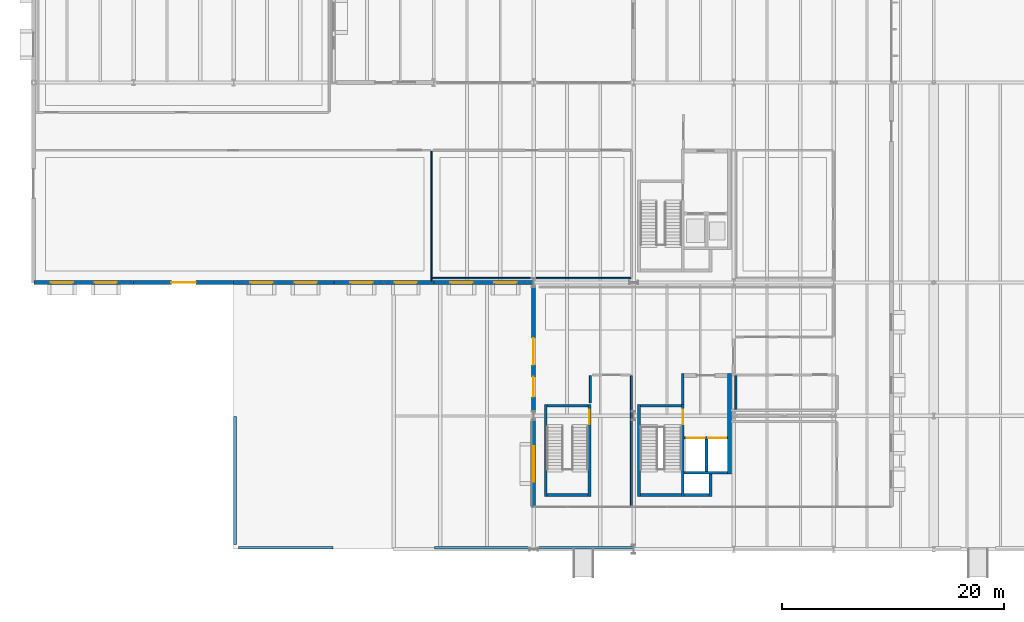
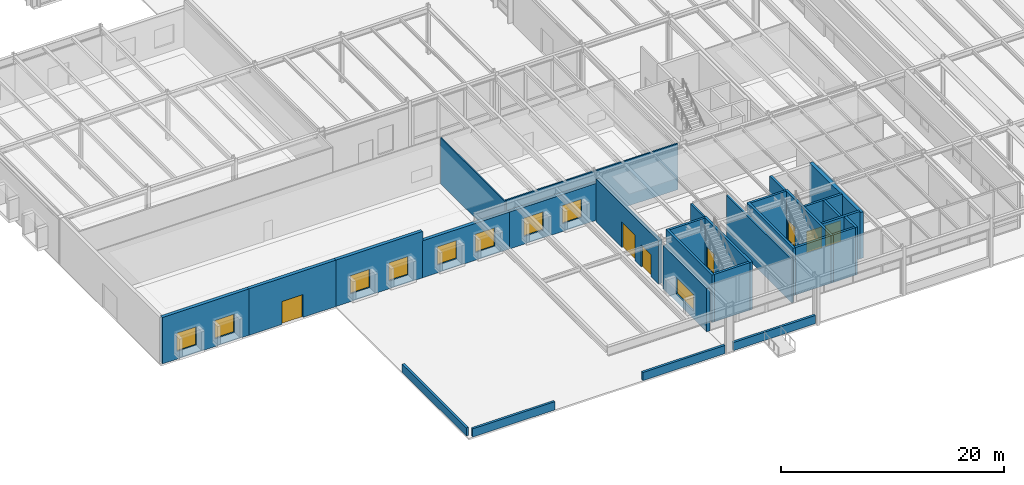
# One storey, part 118 of 143: 31 walls, 9 windows, 7 doors, 16 openings.
"""IFC4 building model written with IfcOpenShell, lengths in metres."""

from ifc_helpers import new_model, si_unit, direction, frame, frame_2d, origin, place, context, subcontext, project, spatial, rectangle, extrude, material, layer, layer_set, type_object, element, fill, save


model = new_model("IFC4")

# Units and contexts
model_context = context("Model", 3, precision=1e-05, world=origin(), true_north=direction((0.0, 1.0)))
body_context = subcontext(model_context, "Body", "Model", "MODEL_VIEW")
ifc_project = project(units=[si_unit("LENGTHUNIT", "METRE"), si_unit("AREAUNIT", "SQUARE_METRE"), si_unit("VOLUMEUNIT", "CUBIC_METRE"), si_unit("PLANEANGLEUNIT", "RADIAN"), si_unit("MASSUNIT", "GRAM", prefix="KILO")], contexts=[model_context])

# Site, building, storey
site_placement = place(None, origin())
site = spatial("IfcSite", under=ifc_project, at=site_placement, CompositionType="ELEMENT")
building_placement = place(site_placement, origin())
building = spatial("IfcBuilding", under=site, at=building_placement, Name="Montelvaro Courts of Justice", CompositionType="ELEMENT")
storey_placement = place(building_placement, origin())
storey = spatial("IfcBuildingStorey", under=building, at=storey_placement, Name="L00", CompositionType="ELEMENT", Elevation=0.0)

# Walls
ifc_material_1 = material(Name="Gypsum board on metal stud")
ifc_layer_1 = layer(ifc_material_1, 0.14990234375)
ifc_layer_set_1 = layer_set([ifc_layer_1], Name="Gypsum board on metal stud")
wall_type_1 = type_object("IfcWallType", Name="ChambersPartition_150", PredefinedType="PARTITIONING", material=ifc_layer_set_1)
wall_1_placement = place(storey_placement, frame((53.719970703125, 24.39990234375, 0.0), z_axis=(0.0, 0.0, 1.0), x_axis=(-1.0, 0.0, 0.0)))
element("IfcWall", 1, at=wall_1_placement, inside=storey, type_object=wall_type_1, Name="Interior Partition IW-04 (L00)", PredefinedType="PARTITIONING", context=body_context, shape_type="SweptSolid", body=[
    extrude(rectangle(XDim=17.864990234375, YDim=0.14990234375, at=frame_2d((8.9326171875, 0.0))), origin(), (0.0, 0.0, 1.0), 5.0400390625),
])
ifc_material_2 = material(Name="Concrete C40/50", Category="concrete")
ifc_layer_2 = layer(ifc_material_2, 0.360107421875)
ifc_layer_set_2 = layer_set([ifc_layer_2], Name="Concrete C40/50")
wall_type_2 = type_object("IfcWallType", Name="CoreWall_360", PredefinedType="SHEAR", material=ifc_layer_set_2)
wall_2_placement = place(storey_placement, frame((62.6201171875, 6.760009765625, 0.0), z_axis=(0.0, 0.0, 1.0), x_axis=(0.0, 1.0, 0.0)))
element("IfcWall", 2, at=wall_2_placement, inside=storey, type_object=wall_type_2, Name="Core Shear Wall CW-01 K1-E (L00)", PredefinedType="SHEAR", context=body_context, shape_type="SweptSolid", body=[
    extrude(rectangle(XDim=9.0400390625, YDim=0.360107421875, at=frame_2d((4.52001953125, 0.0))), origin(), (0.0, 0.0, 1.0), 5.06005859375),
])
ifc_material_3 = material(Name="Fire-rated gypsum and steel stud", Category="steel")
ifc_layer_3 = layer(ifc_material_3, 0.179931640625)
ifc_layer_set_3 = layer_set([ifc_layer_3], Name="Fire-rated gypsum and steel stud")
wall_type_3 = type_object("IfcWallType", Name="CorridorFireWall_180", PredefinedType="PARTITIONING", material=ifc_layer_set_3)
wall_3_placement = place(storey_placement, frame((53.800048828125, 15.6201171875, 0.0), z_axis=(0.0, 0.0, 1.0), x_axis=(0.0, -1.0, 0.0)))
element("IfcWall", 3, at=wall_3_placement, inside=storey, type_object=wall_type_3, Name="Interior Partition IW-02 (L00)", PredefinedType="PARTITIONING", context=body_context, shape_type="SweptSolid", body=[
    extrude(rectangle(XDim=11.7451171875, YDim=0.179931640625, at=frame_2d((5.87255859375, 0.0))), origin(), (0.0, 0.0, 1.0), 4.68505859375),
])
wall_4_placement = place(storey_placement, frame((50.10009765625, 15.6201171875, 0.0), z_axis=(0.0, 0.0, 1.0), x_axis=(0.0, -1.0, 0.0)))
element("IfcWall", 4, at=wall_4_placement, inside=storey, type_object=wall_type_3, Name="Interior Partition IW-02 (L00)", PredefinedType="PARTITIONING", context=body_context, shape_type="SweptSolid", body=[
    extrude(rectangle(XDim=2.440185546875, YDim=0.179931640625, at=frame_2d((1.22021484375, 0.0))), origin(), (0.0, 0.0, 1.0), 5.0400390625),
])
wall_5_placement = place(storey_placement, frame((63.199951171875, 12.580078125, 0.0), z_axis=(0.0, 0.0, 1.0), x_axis=(0.0, 1.0, 0.0)))
element("IfcWall", 5, at=wall_5_placement, inside=storey, type_object=wall_type_3, Name="Interior Partition IW-02 (L00)", PredefinedType="PARTITIONING", context=body_context, shape_type="SweptSolid", body=[
    extrude(rectangle(XDim=3.0400390625, YDim=0.179931640625, at=frame_2d((1.52001953125, 0.0))), origin(), (0.0, 0.0, 1.0), 4.635009765625),
])

# Wall, openings, windows
ifc_material_4 = material(Name="Precast concrete C45/55", Category="concrete")
ifc_layer_4 = layer(ifc_material_4, 0.35009765625)
ifc_layer_set_4 = layer_set([ifc_layer_4], Name="Precast concrete C45/55")
wall_type_4 = type_object("IfcWallType", Name="ExtWall_Limestone_350", PredefinedType="SOLIDWALL", material=ifc_layer_set_4)
wall_6_placement = place(storey_placement, frame((0.0400390625, 24.0, 0.0), z_axis=(0.0, 0.0, 1.0), x_axis=(1.0, 0.0, 0.0)))
wall_6 = element("IfcWall", 6, at=wall_6_placement, inside=storey, type_object=wall_type_4, Name="Exterior Facade Wall EW-03 (L00)", PredefinedType="SOLIDWALL", context=body_context, shape_type="SweptSolid", body=[
    extrude(rectangle(XDim=8.969970703125, YDim=0.35009765625, at=frame_2d((4.48486328125, 0.0))), origin(), (0.0, 0.0, 1.0), 5.080078125),
])
opening_1_placement = place(wall_6_placement, frame((1.511962890625, 0.0, 0.85009765625)))
opening_1 = element("IfcOpeningElement", 7, at=opening_1_placement, cuts=wall_6, Name="Opening WE-11", PredefinedType="OPENING", context=body_context, shape_type="SweptSolid", body=[
    extrude(rectangle(XDim=2.0, YDim=2.0, at=frame_2d((1.0, 1.0))), frame((0.0, 0.18994140625, 0.0), z_axis=(0.0, -1.0, 0.0), x_axis=(1.0, 0.0, 0.0)), (0.0, 0.0, 1.0), 0.3798828125),
])
opening_2_placement = place(wall_6_placement, frame((5.4580078125, 0.0, 0.85009765625)))
opening_2 = element("IfcOpeningElement", 8, at=opening_2_placement, cuts=wall_6, Name="Opening WE-11", PredefinedType="OPENING", context=body_context, shape_type="SweptSolid", body=[
    extrude(rectangle(XDim=2.0, YDim=2.0, at=frame_2d((1.0, 1.0))), frame((0.0, 0.18994140625, 0.0), z_axis=(0.0, -1.0, 0.0), x_axis=(1.0, 0.0, 0.0)), (0.0, 0.0, 1.0), 0.3798828125),
])
ifc_material_5 = material(Name="Low-E solar control double glazing", Category="glass")
window_type_1 = type_object("IfcWindowType", Name="Win_Sq_200x200", PartitioningType="SINGLE_PANEL", PredefinedType="WINDOW", material=ifc_material_5)
window_1_placement = place(opening_1_placement, origin())
window_1 = element("IfcWindow", 9, at=window_1_placement, inside=storey, type_object=window_type_1, Name="Window W-L00-003", OverallHeight=2.0, OverallWidth=2.0, PartitioningType="SINGLE_PANEL", PredefinedType="WINDOW", context=body_context, shape_type="SweptSolid", body=[
    extrude(rectangle(XDim=2.0, YDim=2.0, at=frame_2d((1.0, 1.0))), frame((0.0, 0.030029296875, 0.0), z_axis=(0.0, -1.0, 0.0), x_axis=(1.0, 0.0, 0.0)), (0.0, 0.0, 1.0), 0.06005859375),
])
fill(opening_1, window_1)
window_2_placement = place(opening_2_placement, origin())
window_2 = element("IfcWindow", 10, at=window_2_placement, inside=storey, type_object=window_type_1, Name="Window W-L00-004", OverallHeight=2.0, OverallWidth=2.0, PartitioningType="SINGLE_PANEL", PredefinedType="WINDOW", context=body_context, shape_type="SweptSolid", body=[
    extrude(rectangle(XDim=2.0, YDim=2.0, at=frame_2d((1.0, 1.0))), frame((0.0, 0.030029296875, 0.0), z_axis=(0.0, -1.0, 0.0), x_axis=(1.0, 0.0, 0.0)), (0.0, 0.0, 1.0), 0.06005859375),
])
fill(opening_2, window_2)

# Wall, opening, door
wall_7_placement = place(storey_placement, frame((8.989990234375, 24.0, 0.0), z_axis=(0.0, 0.0, 1.0), x_axis=(1.0, 0.0, 0.0)))
wall_7 = element("IfcWall", 11, at=wall_7_placement, inside=storey, type_object=wall_type_4, Name="Exterior Facade Wall EW-03 (L00)", PredefinedType="SOLIDWALL", context=body_context, shape_type="SweptSolid", body=[
    extrude(rectangle(XDim=9.02001953125, YDim=0.35009765625, at=frame_2d((4.510009765625, 0.0))), origin(), (0.0, 0.0, 1.0), 5.080078125),
])
opening_3_placement = place(wall_7_placement, frame((3.409912109375, 0.0, 0.0)))
opening_3 = element("IfcOpeningElement", 12, at=opening_3_placement, cuts=wall_7, Name="Opening SG-03B", PredefinedType="OPENING", context=body_context, shape_type="SweptSolid", body=[
    extrude(rectangle(XDim=2.199951171875, YDim=2.5, at=frame_2d((1.10009765625, 1.25))), frame((0.0, 0.18994140625, 0.0), z_axis=(0.0, -1.0, 0.0), x_axis=(1.0, 0.0, 0.0)), (0.0, 0.0, 1.0), 0.3798828125),
])
ifc_material_6 = material(Name="Anodised aluminium and laminated safety glass", Category="aluminium")
door_type_1 = type_object("IfcDoorType", Name="SecGate_220x250", OperationType="DOUBLE_DOOR_SINGLE_SWING", PredefinedType="GATE", material=ifc_material_6)
door_1_placement = place(opening_3_placement, frame((2.199951171875, 0.0, 0.0), z_axis=(0.0, 0.0, 1.0), x_axis=(-1.0, 0.0, 0.0)))
door_1 = element("IfcDoor", 13, at=door_1_placement, inside=storey, type_object=door_type_1, Name="Perimeter Security Gate SG-03B", OperationType="DOUBLE_DOOR_SINGLE_SWING", OverallHeight=2.5, OverallWidth=2.199951171875, PredefinedType="GATE", context=body_context, shape_type="SweptSolid", body=[
    extrude(rectangle(XDim=2.199951171875, YDim=2.5, at=frame_2d((1.10009765625, 1.25))), frame((0.0, 0.02490234375, 0.0), z_axis=(0.0, -1.0, 0.0), x_axis=(1.0, 0.0, 0.0)), (0.0, 0.0, 1.0), 0.050048828125),
])
fill(opening_3, door_1)

# Wall, openings, windows
wall_8_placement = place(storey_placement, frame((17.989990234375, 24.0, 0.0), z_axis=(0.0, 0.0, 1.0), x_axis=(1.0, 0.0, 0.0)))
wall_8 = element("IfcWall", 14, at=wall_8_placement, inside=storey, type_object=wall_type_4, Name="Exterior Facade Wall EW-03 (L00)", PredefinedType="SOLIDWALL", context=body_context, shape_type="SweptSolid", body=[
    extrude(rectangle(XDim=9.02001953125, YDim=0.35009765625, at=frame_2d((4.510009765625, 0.0))), origin(), (0.0, 0.0, 1.0), 5.080078125),
])
opening_4_placement = place(wall_8_placement, frame((1.52587890625, 0.0, 0.85009765625)))
opening_4 = element("IfcOpeningElement", 15, at=opening_4_placement, cuts=wall_8, Name="Opening WE-11", PredefinedType="OPENING", context=body_context, shape_type="SweptSolid", body=[
    extrude(rectangle(XDim=2.0, YDim=2.0, at=frame_2d((1.0, 1.0))), frame((0.0, 0.18994140625, 0.0), z_axis=(0.0, -1.0, 0.0), x_axis=(1.0, 0.0, 0.0)), (0.0, 0.0, 1.0), 0.3798828125),
])
opening_5_placement = place(wall_8_placement, frame((5.493896484375, 0.0, 0.85009765625)))
opening_5 = element("IfcOpeningElement", 16, at=opening_5_placement, cuts=wall_8, Name="Opening WE-11", PredefinedType="OPENING", context=body_context, shape_type="SweptSolid", body=[
    extrude(rectangle(XDim=2.0, YDim=2.0, at=frame_2d((1.0, 1.0))), frame((0.0, 0.18994140625, 0.0), z_axis=(0.0, -1.0, 0.0), x_axis=(1.0, 0.0, 0.0)), (0.0, 0.0, 1.0), 0.3798828125),
])
window_3_placement = place(opening_4_placement, origin())
window_3 = element("IfcWindow", 17, at=window_3_placement, inside=storey, type_object=window_type_1, Name="Window W-L00-005", OverallHeight=2.0, OverallWidth=2.0, PartitioningType="SINGLE_PANEL", PredefinedType="WINDOW", context=body_context, shape_type="SweptSolid", body=[
    extrude(rectangle(XDim=2.0, YDim=2.0, at=frame_2d((1.0, 1.0))), frame((0.0, 0.030029296875, 0.0), z_axis=(0.0, -1.0, 0.0), x_axis=(1.0, 0.0, 0.0)), (0.0, 0.0, 1.0), 0.06005859375),
])
fill(opening_4, window_3)
window_4_placement = place(opening_5_placement, origin())
window_4 = element("IfcWindow", 18, at=window_4_placement, inside=storey, type_object=window_type_1, Name="Window W-L00-006", OverallHeight=2.0, OverallWidth=2.0, PartitioningType="SINGLE_PANEL", PredefinedType="WINDOW", context=body_context, shape_type="SweptSolid", body=[
    extrude(rectangle(XDim=2.0, YDim=2.0, at=frame_2d((1.0, 1.0))), frame((0.0, 0.030029296875, 0.0), z_axis=(0.0, -1.0, 0.0), x_axis=(1.0, 0.0, 0.0)), (0.0, 0.0, 1.0), 0.06005859375),
])
fill(opening_5, window_4)

wall_9_placement = place(storey_placement, frame((26.989990234375, 24.0, 0.0), z_axis=(0.0, 0.0, 1.0), x_axis=(1.0, 0.0, 0.0)))
wall_9 = element("IfcWall", 19, at=wall_9_placement, inside=storey, type_object=wall_type_4, Name="Exterior Facade Wall EW-03 (L00)", PredefinedType="SOLIDWALL", context=body_context, shape_type="SweptSolid", body=[
    extrude(rectangle(XDim=9.02001953125, YDim=0.35009765625, at=frame_2d((4.510009765625, 0.0))), origin(), (0.0, 0.0, 1.0), 4.047119140625),
])
opening_6_placement = place(wall_9_placement, frame((1.52587890625, 0.0, 0.85009765625)))
opening_6 = element("IfcOpeningElement", 20, at=opening_6_placement, cuts=wall_9, Name="Opening WE-11", PredefinedType="OPENING", context=body_context, shape_type="SweptSolid", body=[
    extrude(rectangle(XDim=2.0, YDim=2.0, at=frame_2d((1.0, 1.0))), frame((0.0, 0.18994140625, 0.0), z_axis=(0.0, -1.0, 0.0), x_axis=(1.0, 0.0, 0.0)), (0.0, 0.0, 1.0), 0.3798828125),
])
opening_7_placement = place(wall_9_placement, frame((5.493896484375, 0.0, 0.85009765625)))
opening_7 = element("IfcOpeningElement", 21, at=opening_7_placement, cuts=wall_9, Name="Opening WE-11", PredefinedType="OPENING", context=body_context, shape_type="SweptSolid", body=[
    extrude(rectangle(XDim=2.0, YDim=2.0, at=frame_2d((1.0, 1.0))), frame((0.0, 0.18994140625, 0.0), z_axis=(0.0, -1.0, 0.0), x_axis=(1.0, 0.0, 0.0)), (0.0, 0.0, 1.0), 0.3798828125),
])
window_5_placement = place(opening_6_placement, origin())
window_5 = element("IfcWindow", 22, at=window_5_placement, inside=storey, type_object=window_type_1, Name="Window W-L00-007", OverallHeight=2.0, OverallWidth=2.0, PartitioningType="SINGLE_PANEL", PredefinedType="WINDOW", context=body_context, shape_type="SweptSolid", body=[
    extrude(rectangle(XDim=2.0, YDim=2.0, at=frame_2d((1.0, 1.0))), frame((0.0, 0.030029296875, 0.0), z_axis=(0.0, -1.0, 0.0), x_axis=(1.0, 0.0, 0.0)), (0.0, 0.0, 1.0), 0.06005859375),
])
fill(opening_6, window_5)
window_6_placement = place(opening_7_placement, origin())
window_6 = element("IfcWindow", 23, at=window_6_placement, inside=storey, type_object=window_type_1, Name="Window W-L00-008", OverallHeight=2.0, OverallWidth=2.0, PartitioningType="SINGLE_PANEL", PredefinedType="WINDOW", context=body_context, shape_type="SweptSolid", body=[
    extrude(rectangle(XDim=2.0, YDim=2.0, at=frame_2d((1.0, 1.0))), frame((0.0, 0.030029296875, 0.0), z_axis=(0.0, -1.0, 0.0), x_axis=(1.0, 0.0, 0.0)), (0.0, 0.0, 1.0), 0.06005859375),
])
fill(opening_7, window_6)

wall_10_placement = place(storey_placement, frame((35.989990234375, 24.0, 0.0), z_axis=(0.0, 0.0, 1.0), x_axis=(1.0, 0.0, 0.0)))
wall_10 = element("IfcWall", 24, at=wall_10_placement, inside=storey, type_object=wall_type_4, Name="Exterior Facade Wall EW-03 (L00)", PredefinedType="SOLIDWALL", context=body_context, shape_type="SweptSolid", body=[
    extrude(rectangle(XDim=9.001953125, YDim=0.35009765625, at=frame_2d((4.5009765625, 0.0))), origin(), (0.0, 0.0, 1.0), 4.047119140625),
])
opening_8_placement = place(wall_10_placement, frame((1.52099609375, 0.0, 0.85009765625)))
opening_8 = element("IfcOpeningElement", 25, at=opening_8_placement, cuts=wall_10, Name="Opening WE-11", PredefinedType="OPENING", context=body_context, shape_type="SweptSolid", body=[
    extrude(rectangle(XDim=2.0, YDim=2.0, at=frame_2d((1.0, 1.0))), frame((0.0, 0.18994140625, 0.0), z_axis=(0.0, -1.0, 0.0), x_axis=(1.0, 0.0, 0.0)), (0.0, 0.0, 1.0), 0.3798828125),
])
opening_9_placement = place(wall_10_placement, frame((5.48095703125, 0.0, 0.85009765625)))
opening_9 = element("IfcOpeningElement", 26, at=opening_9_placement, cuts=wall_10, Name="Opening WE-11", PredefinedType="OPENING", context=body_context, shape_type="SweptSolid", body=[
    extrude(rectangle(XDim=2.0, YDim=2.0, at=frame_2d((1.0, 1.0))), frame((0.0, 0.18994140625, 0.0), z_axis=(0.0, -1.0, 0.0), x_axis=(1.0, 0.0, 0.0)), (0.0, 0.0, 1.0), 0.3798828125),
])
window_7_placement = place(opening_8_placement, origin())
window_7 = element("IfcWindow", 27, at=window_7_placement, inside=storey, type_object=window_type_1, Name="Window W-L00-009", OverallHeight=2.0, OverallWidth=2.0, PartitioningType="SINGLE_PANEL", PredefinedType="WINDOW", context=body_context, shape_type="SweptSolid", body=[
    extrude(rectangle(XDim=2.0, YDim=2.0, at=frame_2d((1.0, 1.0))), frame((0.0, 0.030029296875, 0.0), z_axis=(0.0, -1.0, 0.0), x_axis=(1.0, 0.0, 0.0)), (0.0, 0.0, 1.0), 0.06005859375),
])
fill(opening_8, window_7)
window_8_placement = place(opening_9_placement, origin())
window_8 = element("IfcWindow", 28, at=window_8_placement, inside=storey, type_object=window_type_1, Name="Window W-L00-010", OverallHeight=2.0, OverallWidth=2.0, PartitioningType="SINGLE_PANEL", PredefinedType="WINDOW", context=body_context, shape_type="SweptSolid", body=[
    extrude(rectangle(XDim=2.0, YDim=2.0, at=frame_2d((1.0, 1.0))), frame((0.0, 0.030029296875, 0.0), z_axis=(0.0, -1.0, 0.0), x_axis=(1.0, 0.0, 0.0)), (0.0, 0.0, 1.0), 0.06005859375),
])
fill(opening_9, window_8)

# Wall, openings, doors
wall_11_placement = place(storey_placement, frame((45.0, 23.594970703125, 0.0), z_axis=(0.0, 0.0, 1.0), x_axis=(0.0, -1.0, 0.0)))
wall_11 = element("IfcWall", 29, at=wall_11_placement, inside=storey, type_object=wall_type_4, Name="Exterior Facade Wall EW-03 (L00)", PredefinedType="SOLIDWALL", context=body_context, shape_type="SweptSolid", body=[
    extrude(rectangle(XDim=11.18994140625, YDim=0.35009765625, at=frame_2d((5.594970703125, 0.0))), origin(), (0.0, 0.0, 1.0), 4.72509765625),
])
opening_10_placement = place(wall_11_placement, frame((4.594970703125, 0.0, 0.0)))
opening_10 = element("IfcOpeningElement", 30, at=opening_10_placement, cuts=wall_11, Name="Opening ED-01", PredefinedType="OPENING", context=body_context, shape_type="SweptSolid", body=[
    extrude(rectangle(XDim=2.39990234375, YDim=2.800048828125, at=frame_2d((1.199951171875, 1.39990234375))), frame((0.0, 0.18994140625, 0.0), z_axis=(0.0, -1.0, 0.0), x_axis=(1.0, 0.0, 0.0)), (0.0, 0.0, 1.0), 0.3798828125),
])
opening_11_placement = place(wall_11_placement, frame((8.090087890625, 0.0, 0.0)))
opening_11 = element("IfcOpeningElement", 31, at=opening_11_placement, cuts=wall_11, Name="Opening ED-06", PredefinedType="OPENING", context=body_context, shape_type="SweptSolid", body=[
    extrude(rectangle(XDim=1.800048828125, YDim=2.39990234375, at=frame_2d((0.89990234375, 1.199951171875))), frame((0.0, 0.18994140625, 0.0), z_axis=(0.0, -1.0, 0.0), x_axis=(1.0, 0.0, 0.0)), (0.0, 0.0, 1.0), 0.3798828125),
])
ifc_material_7 = material(Name="Galvanised steel S355 fire door", Category="steel")
door_type_2 = type_object("IfcDoorType", Name="ExtDoor_Exit_180x240", OperationType="DOUBLE_DOOR_SINGLE_SWING", PredefinedType="DOOR", material=ifc_material_7)
door_2_placement = place(opening_11_placement, frame((1.800048828125, 0.0, 0.0), z_axis=(0.0, 0.0, 1.0), x_axis=(-1.0, 0.0, 0.0)))
door_2 = element("IfcDoor", 32, at=door_2_placement, inside=storey, type_object=door_type_2, Name="Final Pedestrian Exit ED-06 Stair ST-E1", OperationType="DOUBLE_DOOR_SINGLE_SWING", OverallHeight=2.39990234375, OverallWidth=1.800048828125, PredefinedType="DOOR", context=body_context, shape_type="SweptSolid", body=[
    extrude(rectangle(XDim=1.800048828125, YDim=2.39990234375, at=frame_2d((0.89990234375, 1.199951171875))), frame((0.0, 0.02490234375, 0.0), z_axis=(0.0, -1.0, 0.0), x_axis=(1.0, 0.0, 0.0)), (0.0, 0.0, 1.0), 0.050048828125),
])
fill(opening_11, door_2)
door_type_3 = type_object("IfcDoorType", Name="ExtDoor_Main_240x280", OperationType="DOUBLE_DOOR_SINGLE_SWING", PredefinedType="DOOR", material=ifc_material_6)
door_3_placement = place(opening_10_placement, frame((2.39990234375, 0.0, 0.0), z_axis=(0.0, 0.0, 1.0), x_axis=(-1.0, 0.0, 0.0)))
door_3 = element("IfcDoor", 33, at=door_3_placement, inside=storey, type_object=door_type_3, Name="Final Pedestrian Exit ED-01 Stair ST-K1", OperationType="DOUBLE_DOOR_SINGLE_SWING", OverallHeight=2.800048828125, OverallWidth=2.39990234375, PredefinedType="DOOR", context=body_context, shape_type="SweptSolid", body=[
    extrude(rectangle(XDim=2.39990234375, YDim=2.800048828125, at=frame_2d((1.199951171875, 1.39990234375))), frame((0.0, 0.02490234375, 0.0), z_axis=(0.0, -1.0, 0.0), x_axis=(1.0, 0.0, 0.0)), (0.0, 0.0, 1.0), 0.050048828125),
])
fill(opening_10, door_3)

# Wall, opening, window
wall_12_placement = place(storey_placement, frame((45.0, 11.594970703125, 0.0), z_axis=(0.0, 0.0, 1.0), x_axis=(0.0, -1.0, 0.0)))
wall_12 = element("IfcWall", 34, at=wall_12_placement, inside=storey, type_object=wall_type_4, Name="Exterior Facade Wall EW-03 (L00)", PredefinedType="SOLIDWALL", context=body_context, shape_type="SweptSolid", body=[
    extrude(rectangle(XDim=7.8349609375, YDim=0.35009765625, at=frame_2d((3.91748046875, 0.0))), origin(), (0.0, 0.0, 1.0), 4.72509765625),
])
opening_12_placement = place(wall_12_placement, frame((2.31689453125, 0.0, 0.85009765625)))
opening_12 = element("IfcOpeningElement", 35, at=opening_12_placement, cuts=wall_12, Name="Opening WE-20", PredefinedType="OPENING", context=body_context, shape_type="SweptSolid", body=[
    extrude(rectangle(XDim=3.199951171875, YDim=1.800048828125, at=frame_2d((1.60009765625, 0.89990234375))), frame((0.0, 0.18994140625, 0.0), z_axis=(0.0, -1.0, 0.0), x_axis=(1.0, 0.0, 0.0)), (0.0, 0.0, 1.0), 0.3798828125),
])
window_type_2 = type_object("IfcWindowType", Name="Win_Rect_320x180", PartitioningType="SINGLE_PANEL", PredefinedType="WINDOW", material=ifc_material_5)
window_9_placement = place(opening_12_placement, origin())
window_9 = element("IfcWindow", 36, at=window_9_placement, inside=storey, type_object=window_type_2, Name="Window W-L00-024", OverallHeight=1.800048828125, OverallWidth=3.199951171875, PartitioningType="SINGLE_PANEL", PredefinedType="WINDOW", context=body_context, shape_type="SweptSolid", body=[
    extrude(rectangle(XDim=3.199951171875, YDim=1.800048828125, at=frame_2d((1.60009765625, 0.89990234375))), frame((0.0, 0.030029296875, 0.0), z_axis=(0.0, -1.0, 0.0), x_axis=(1.0, 0.0, 0.0)), (0.0, 0.0, 1.0), 0.06005859375),
])
fill(opening_12, window_9)

# Walls
ifc_layer_5 = layer(ifc_material_1, 0.1201171875)
ifc_layer_set_5 = layer_set([ifc_layer_5], Name="Gypsum board on metal stud")
wall_type_5 = type_object("IfcWallType", Name="OfficePartition_120", PredefinedType="PARTITIONING", material=ifc_layer_set_5)
wall_13_placement = place(storey_placement, frame((35.800048828125, 35.820068359375, 0.0), z_axis=(0.0, 0.0, 1.0), x_axis=(0.0, -1.0, 0.0)))
element("IfcWall", 37, at=wall_13_placement, inside=storey, type_object=wall_type_5, Name="Interior Partition IW-05 (L00)", PredefinedType="PARTITIONING", context=body_context, shape_type="SweptSolid", body=[
    extrude(rectangle(XDim=11.650146484375, YDim=0.1201171875, at=frame_2d((5.8251953125, 0.0))), origin(), (0.0, 0.0, 1.0), 5.0400390625),
])
ifc_material_8 = material(Name="White mineral precast concrete C45/55", Category="concrete")
ifc_layer_6 = layer(ifc_material_8, 0.239990234375)
ifc_layer_set_6 = layer_set([ifc_layer_6], Name="White mineral precast concrete C45/55")
wall_type_6 = type_object("IfcWallType", Name="ParapetWall_240", PredefinedType="PARAPET", material=ifc_layer_set_6)
for number, where, z_axis, x_axis, name in (
    (38, (18.419921875, 0.1201171875, 0.0), (0.0, 0.0, 1.0), (1.0, 0.0, 0.0), "Roof Parapet PW-01 L00-048"),
    (39, (36.06005859375, 0.1201171875, 0.0), (0.0, 0.0, 1.0), (1.0, 0.0, 0.0), "Roof Parapet PW-01 L00-049"),
):
    element("IfcWall", number, at=place(storey_placement, frame(where, z_axis=z_axis, x_axis=x_axis)), inside=storey, type_object=wall_type_6, Name=name, PredefinedType="PARAPET", context=body_context, shape_type="SweptSolid", body=[
        extrude(rectangle(XDim=8.52001953125, YDim=0.239990234375, at=frame_2d((4.260009765625, 0.0))), origin(), (0.0, 0.0, 1.0), 0.89990234375),
    ])
wall_14_placement = place(storey_placement, frame((18.1201171875, 0.419921875, 0.0), z_axis=(0.0, 0.0, 1.0), x_axis=(0.0, 1.0, 0.0)))
element("IfcWall", 40, at=wall_14_placement, inside=storey, type_object=wall_type_6, Name="Roof Parapet PW-01 L00-050", PredefinedType="PARAPET", context=body_context, shape_type="SweptSolid", body=[
    extrude(rectangle(XDim=11.52001953125, YDim=0.239990234375, at=frame_2d((5.760009765625, 0.0))), origin(), (0.0, 0.0, 1.0), 0.89990234375),
])
wall_15_placement = place(storey_placement, frame((45.419921875, 0.1201171875, 0.0), z_axis=(0.0, 0.0, 1.0), x_axis=(1.0, 0.0, 0.0)))
element("IfcWall", 41, at=wall_15_placement, inside=storey, type_object=wall_type_6, Name="Roof Parapet PW-01 L00-064", PredefinedType="PARAPET", context=body_context, shape_type="SweptSolid", body=[
    extrude(rectangle(XDim=8.52001953125, YDim=0.239990234375, at=frame_2d((4.260009765625, 0.0))), origin(), (0.0, 0.0, 1.0), 0.89990234375),
])
ifc_material_9 = material(Name="Concrete C35/45", Category="concrete")
ifc_layer_7 = layer(ifc_material_9, 0.239990234375)
ifc_layer_set_7 = layer_set([ifc_layer_7], Name="Concrete C35/45")
wall_type_7 = type_object("IfcWallType", Name="ShaftWall_240", PredefinedType="SHEAR", material=ifc_layer_set_7)
wall_16_placement = place(storey_placement, frame((54.47998046875, 4.760009765625, 0.0), z_axis=(0.0, 0.0, 1.0), x_axis=(0.0, 1.0, 0.0)))
element("IfcWall", 42, at=wall_16_placement, inside=storey, type_object=wall_type_7, Name="Protected Stair Structural Wall ST-K1-W (L00)", PredefinedType="SHEAR", context=body_context, shape_type="SweptSolid", body=[
    extrude(rectangle(XDim=8.280029296875, YDim=0.239990234375, at=frame_2d((4.14013671875, 0.0))), origin(), (0.0, 0.0, 1.0), 5.2099609375),
])

# Wall, opening, door
wall_17_placement = place(storey_placement, frame((58.419921875, 4.760009765625, 0.0), z_axis=(0.0, 0.0, 1.0), x_axis=(0.0, 1.0, 0.0)))
wall_17 = element("IfcWall", 43, at=wall_17_placement, inside=storey, type_object=wall_type_7, Name="Protected Stair Structural Wall ST-K1-E (L00)", PredefinedType="SHEAR", context=body_context, shape_type="SweptSolid", body=[
    extrude(rectangle(XDim=8.280029296875, YDim=0.239990234375, at=frame_2d((4.14013671875, 0.0))), origin(), (0.0, 0.0, 1.0), 5.2099609375),
])
opening_13_placement = place(wall_17_placement, frame((6.489990234375, 0.0, 0.0)))
opening_13 = element("IfcOpeningElement", 44, at=opening_13_placement, cuts=wall_17, Name="Opening DS-L00-K1", PredefinedType="OPENING", context=body_context, shape_type="SweptSolid", body=[
    extrude(rectangle(XDim=1.300048828125, YDim=2.199951171875, at=frame_2d((0.64990234375, 1.10009765625))), frame((0.0, 0.134765625, 0.0), z_axis=(0.0, -1.0, 0.0), x_axis=(1.0, 0.0, 0.0)), (0.0, 0.0, 1.0), 0.269775390625),
])
ifc_material_10 = material(Name="Galvanised steel S355 security door", Category="steel")
door_type_4 = type_object("IfcDoorType", Name="StairFireDoor_130x220", OperationType="NOTDEFINED", PredefinedType="DOOR", material=ifc_material_10)
door_4_placement = place(opening_13_placement, frame((1.300048828125, 0.0, 0.0), z_axis=(0.0, 0.0, 1.0), x_axis=(-1.0, 0.0, 0.0)))
door_4 = element("IfcDoor", 45, at=door_4_placement, inside=storey, type_object=door_type_4, Name="Protected Stair Fire Door DS-L00-K1", OperationType="SINGLE_SWING_RIGHT", OverallHeight=2.199951171875, OverallWidth=1.300048828125, PredefinedType="DOOR", context=body_context, shape_type="SweptSolid", body=[
    extrude(rectangle(XDim=1.300048828125, YDim=2.199951171875, at=frame_2d((0.64990234375, 1.10009765625))), frame((0.0, 0.02490234375, 0.0), z_axis=(0.0, -1.0, 0.0), x_axis=(1.0, 0.0, 0.0)), (0.0, 0.0, 1.0), 0.050048828125),
])
fill(opening_13, door_4)

# Walls
for number, where, z_axis, x_axis, name in (
    (46, (54.60009765625, 4.8798828125, 0.0), (0.0, 0.0, 1.0), (1.0, 0.0, 0.0), "Protected Stair Structural Wall ST-K1-S (L00)"),
    (47, (54.60009765625, 12.919921875, 0.0), (0.0, 0.0, 1.0), (1.0, 0.0, 0.0), "Protected Stair Structural Wall ST-K1-N (L00)"),
):
    element("IfcWall", number, at=place(storey_placement, frame(where, z_axis=z_axis, x_axis=x_axis)), inside=storey, type_object=wall_type_7, Name=name, PredefinedType="SHEAR", context=body_context, shape_type="SweptSolid", body=[
        extrude(rectangle(XDim=3.699951171875, YDim=0.239990234375, at=frame_2d((1.85009765625, 0.0))), origin(), (0.0, 0.0, 1.0), 5.2099609375),
    ])
wall_18_placement = place(storey_placement, frame((46.080078125, 4.760009765625, 0.0), z_axis=(0.0, 0.0, 1.0), x_axis=(0.0, 1.0, 0.0)))
element("IfcWall", 48, at=wall_18_placement, inside=storey, type_object=wall_type_7, Name="Protected Stair Structural Wall ST-E1-W (L00)", PredefinedType="SHEAR", context=body_context, shape_type="SweptSolid", body=[
    extrude(rectangle(XDim=8.280029296875, YDim=0.239990234375, at=frame_2d((4.14013671875, 0.0))), origin(), (0.0, 0.0, 1.0), 5.2099609375),
])

# Wall, opening, door
wall_19_placement = place(storey_placement, frame((50.02001953125, 4.760009765625, 0.0), z_axis=(0.0, 0.0, 1.0), x_axis=(0.0, 1.0, 0.0)))
wall_19 = element("IfcWall", 49, at=wall_19_placement, inside=storey, type_object=wall_type_7, Name="Protected Stair Structural Wall ST-E1-E (L00)", PredefinedType="SHEAR", context=body_context, shape_type="SweptSolid", body=[
    extrude(rectangle(XDim=8.280029296875, YDim=0.239990234375, at=frame_2d((4.14013671875, 0.0))), origin(), (0.0, 0.0, 1.0), 5.2099609375),
])
opening_14_placement = place(wall_19_placement, frame((6.489990234375, 0.0, 0.0)))
opening_14 = element("IfcOpeningElement", 50, at=opening_14_placement, cuts=wall_19, Name="Opening DS-L00-SE1", PredefinedType="OPENING", context=body_context, shape_type="SweptSolid", body=[
    extrude(rectangle(XDim=1.300048828125, YDim=2.199951171875, at=frame_2d((0.64990234375, 1.10009765625))), frame((0.0, 0.134765625, 0.0), z_axis=(0.0, -1.0, 0.0), x_axis=(1.0, 0.0, 0.0)), (0.0, 0.0, 1.0), 0.269775390625),
])
door_5_placement = place(opening_14_placement, frame((1.300048828125, 0.0, 0.0), z_axis=(0.0, 0.0, 1.0), x_axis=(-1.0, 0.0, 0.0)))
door_5 = element("IfcDoor", 51, at=door_5_placement, inside=storey, type_object=door_type_4, Name="Protected Stair Fire Door DS-L00-SE1", OperationType="SINGLE_SWING_RIGHT", OverallHeight=2.199951171875, OverallWidth=1.300048828125, PredefinedType="DOOR", context=body_context, shape_type="SweptSolid", body=[
    extrude(rectangle(XDim=1.300048828125, YDim=2.199951171875, at=frame_2d((0.64990234375, 1.10009765625))), frame((0.0, 0.02490234375, 0.0), z_axis=(0.0, -1.0, 0.0), x_axis=(1.0, 0.0, 0.0)), (0.0, 0.0, 1.0), 0.050048828125),
])
fill(opening_14, door_5)

# Walls
for number, where, z_axis, x_axis, name in (
    (52, (46.199951171875, 4.8798828125, 0.0), (0.0, 0.0, 1.0), (1.0, 0.0, 0.0), "Protected Stair Structural Wall ST-E1-S (L00)"),
    (53, (46.199951171875, 12.919921875, 0.0), (0.0, 0.0, 1.0), (1.0, 0.0, 0.0), "Protected Stair Structural Wall ST-E1-N (L00)"),
):
    element("IfcWall", number, at=place(storey_placement, frame(where, z_axis=z_axis, x_axis=x_axis)), inside=storey, type_object=wall_type_7, Name=name, PredefinedType="SHEAR", context=body_context, shape_type="SweptSolid", body=[
        extrude(rectangle(XDim=3.699951171875, YDim=0.239990234375, at=frame_2d((1.85009765625, 0.0))), origin(), (0.0, 0.0, 1.0), 5.2099609375),
    ])
wall_20_placement = place(storey_placement, frame((58.419921875, 13.0400390625, 0.0), z_axis=(0.0, 0.0, 1.0), x_axis=(0.0, 1.0, 0.0)))
element("IfcWall", 54, at=wall_20_placement, inside=storey, type_object=wall_type_7, Name="Core Lobby Structural Wall K1-W (L00)", PredefinedType="SHEAR", context=body_context, shape_type="SweptSolid", body=[
    extrude(rectangle(XDim=2.760009765625, YDim=0.239990234375, at=frame_2d((1.3798828125, 0.0))), origin(), (0.0, 0.0, 1.0), 5.06005859375),
])

# Wall, openings, doors
wall_21_placement = place(storey_placement, frame((58.5400390625, 10.02001953125, 0.0), z_axis=(0.0, 0.0, 1.0), x_axis=(1.0, 0.0, 0.0)))
wall_21 = element("IfcWall", 55, at=wall_21_placement, inside=storey, type_object=wall_type_7, Name="Lift Shaft Bank Wall K1 (L00)", PredefinedType="SHEAR", context=body_context, shape_type="SweptSolid", body=[
    extrude(rectangle(XDim=3.89990234375, YDim=0.239990234375, at=frame_2d((1.949951171875, 0.0))), origin(), (0.0, 0.0, 1.0), 5.2099609375),
])
opening_15_placement = place(wall_21_placement, frame((0.235107421875, 0.0, 0.0)))
opening_15 = element("IfcOpeningElement", 56, at=opening_15_placement, cuts=wall_21, Name="Opening LD-LF-01-L00", PredefinedType="OPENING", context=body_context, shape_type="SweptSolid", body=[
    extrude(rectangle(XDim=1.60009765625, YDim=2.300048828125, at=frame_2d((0.800048828125, 1.14990234375))), frame((0.0, 0.134765625, 0.0), z_axis=(0.0, -1.0, 0.0), x_axis=(1.0, 0.0, 0.0)), (0.0, 0.0, 1.0), 0.269775390625),
])
opening_16_placement = place(wall_21_placement, frame((2.18505859375, 0.0, 0.0)))
opening_16 = element("IfcOpeningElement", 57, at=opening_16_placement, cuts=wall_21, Name="Opening LD-LJ-01-L00", PredefinedType="OPENING", context=body_context, shape_type="SweptSolid", body=[
    extrude(rectangle(XDim=1.60009765625, YDim=2.300048828125, at=frame_2d((0.800048828125, 1.14990234375))), frame((0.0, 0.134765625, 0.0), z_axis=(0.0, -1.0, 0.0), x_axis=(1.0, 0.0, 0.0)), (0.0, 0.0, 1.0), 0.269775390625),
])
door_type_5 = type_object("IfcDoorType", Name="LiftDoor_160x230", OperationType="DOUBLE_DOOR_SLIDING", PredefinedType="DOOR", material=ifc_material_10)
door_6_placement = place(opening_15_placement, origin())
door_6 = element("IfcDoor", 58, at=door_6_placement, inside=storey, type_object=door_type_5, Name="Lift Landing Sliding Door LD-LF-01-L00", OperationType="DOUBLE_DOOR_SLIDING", OverallHeight=2.300048828125, OverallWidth=1.60009765625, PredefinedType="DOOR", context=body_context, shape_type="SweptSolid", body=[
    extrude(rectangle(XDim=1.60009765625, YDim=2.300048828125, at=frame_2d((0.800048828125, 1.14990234375))), frame((0.0, 0.02490234375, 0.0), z_axis=(0.0, -1.0, 0.0), x_axis=(1.0, 0.0, 0.0)), (0.0, 0.0, 1.0), 0.050048828125),
])
fill(opening_15, door_6)
door_7_placement = place(opening_16_placement, origin())
door_7 = element("IfcDoor", 59, at=door_7_placement, inside=storey, type_object=door_type_5, Name="Lift Landing Sliding Door LD-LJ-01-L00", OperationType="DOUBLE_DOOR_SLIDING", OverallHeight=2.300048828125, OverallWidth=1.60009765625, PredefinedType="DOOR", context=body_context, shape_type="SweptSolid", body=[
    extrude(rectangle(XDim=1.60009765625, YDim=2.300048828125, at=frame_2d((0.800048828125, 1.14990234375))), frame((0.0, 0.02490234375, 0.0), z_axis=(0.0, -1.0, 0.0), x_axis=(1.0, 0.0, 0.0)), (0.0, 0.0, 1.0), 0.050048828125),
])
fill(opening_16, door_7)

# Walls
wall_22_placement = place(storey_placement, frame((58.5400390625, 6.8798828125, 0.0), z_axis=(0.0, 0.0, 1.0), x_axis=(1.0, 0.0, 0.0)))
element("IfcWall", 60, at=wall_22_placement, inside=storey, type_object=wall_type_7, Name="Lift Shaft Back Wall K1 (L00)", PredefinedType="SHEAR", context=body_context, shape_type="SweptSolid", body=[
    extrude(rectangle(XDim=3.89990234375, YDim=0.239990234375, at=frame_2d((1.949951171875, 0.0))), origin(), (0.0, 0.0, 1.0), 5.2099609375),
])
wall_23_placement = place(storey_placement, frame((60.550048828125, 7.0, 0.0), z_axis=(0.0, 0.0, 1.0), x_axis=(0.0, 1.0, 0.0)))
element("IfcWall", 61, at=wall_23_placement, inside=storey, type_object=wall_type_7, Name="Lift Shaft Divider Wall K1-LFD1 (L00)", PredefinedType="SHEAR", context=body_context, shape_type="SweptSolid", body=[
    extrude(rectangle(XDim=2.89990234375, YDim=0.239990234375, at=frame_2d((1.449951171875, 0.0))), origin(), (0.0, 0.0, 1.0), 5.2099609375),
])
wall_24_placement = place(storey_placement, frame((60.919921875, 4.760009765625, 0.0), z_axis=(0.0, 0.0, 1.0), x_axis=(0.0, 1.0, 0.0)))
element("IfcWall", 62, at=wall_24_placement, inside=storey, type_object=wall_type_7, Name="Service Riser East Shaft Wall K1 (L00)", PredefinedType="SHEAR", context=body_context, shape_type="SweptSolid", body=[
    extrude(rectangle(XDim=2.0, YDim=0.239990234375, at=frame_2d((1.0, 0.0))), origin(), (0.0, 0.0, 1.0), 5.2099609375),
])
wall_25_placement = place(storey_placement, frame((58.5400390625, 4.8798828125, 0.0), z_axis=(0.0, 0.0, 1.0), x_axis=(1.0, 0.0, 0.0)))
element("IfcWall", 63, at=wall_25_placement, inside=storey, type_object=wall_type_7, Name="Service Riser South Shaft Wall K1 (L00)", PredefinedType="SHEAR", context=body_context, shape_type="SweptSolid", body=[
    extrude(rectangle(XDim=2.260009765625, YDim=0.239990234375, at=frame_2d((1.1298828125, 0.0))), origin(), (0.0, 0.0, 1.0), 5.2099609375),
])

save(model, "model.ifc")
